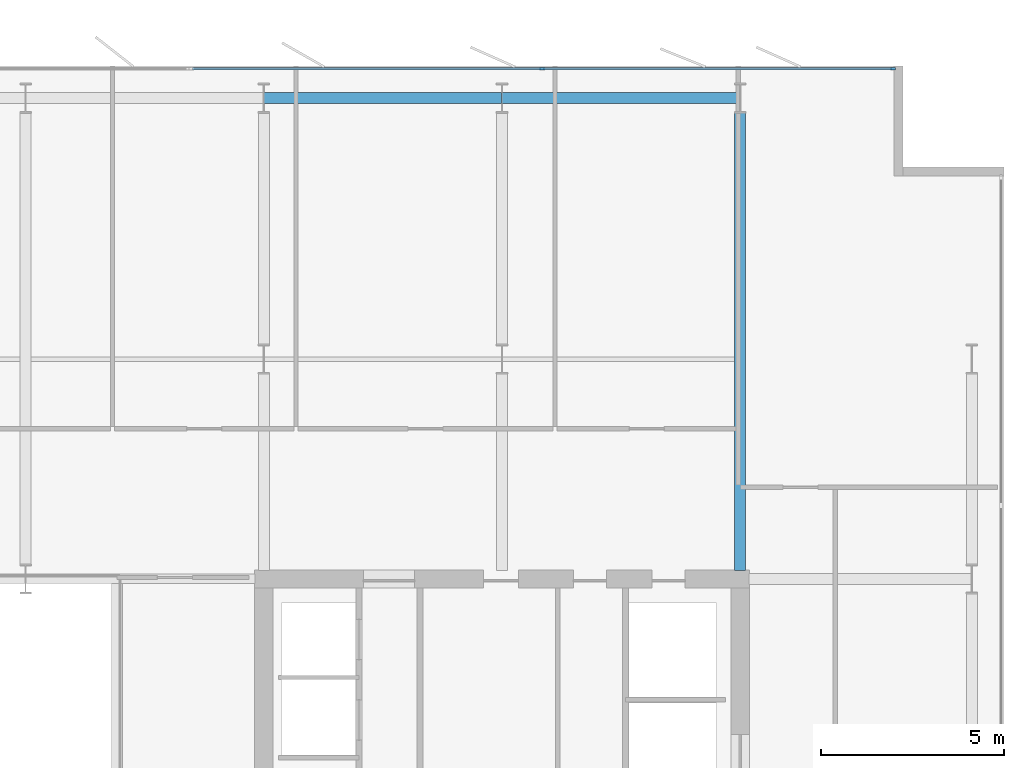
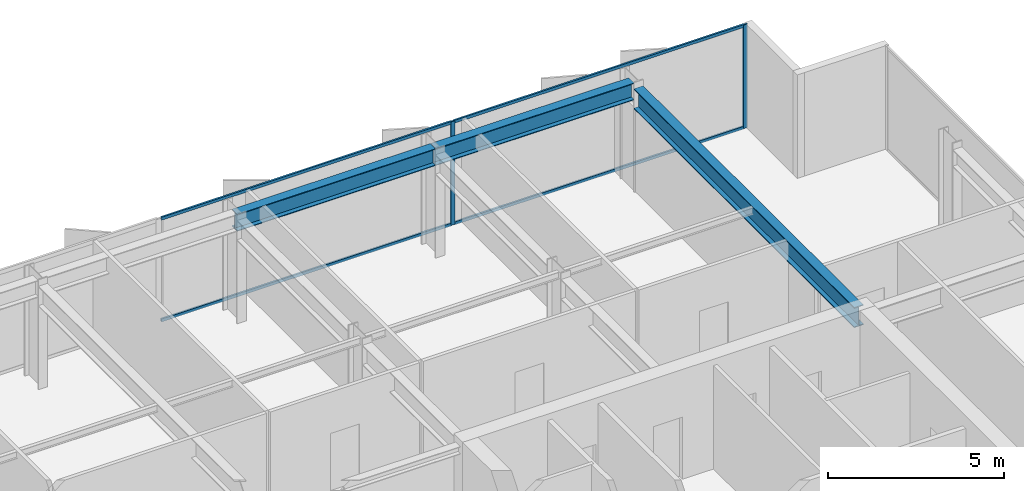
# One storey, part 13 of 23: 6 members, 3 beams, 1 element without a shape of its own.
"""IFC4 building model written with IfcOpenShell, lengths in metres."""

from ifc_helpers import new_model, si_unit, direction, frame, origin, origin_2d, place, context, subcontext, project, spatial, rectangle, i_section, extrude, material, layer, layer_set, material_profile, profile_set, type_object, element, aggregate, save


model = new_model("IFC4")

# Units and contexts
model_context = context("Model", 3, precision=1e-05, world=origin(), true_north=direction((0.0, 1.0)))
body_context = subcontext(model_context, "Body", "Model", "MODEL_VIEW")
ifc_project = project(units=[si_unit("LENGTHUNIT", "METRE"), si_unit("AREAUNIT", "SQUARE_METRE"), si_unit("VOLUMEUNIT", "CUBIC_METRE"), si_unit("PLANEANGLEUNIT", "RADIAN"), si_unit("MASSUNIT", "GRAM", prefix="KILO")], contexts=[model_context])

# Site, building, storey
site_placement = place(None, origin())
site = spatial("IfcSite", under=ifc_project, at=site_placement, CompositionType="ELEMENT")
building_placement = place(site_placement, origin())
building = spatial("IfcBuilding", under=site, at=building_placement, Name="Putna Gate Headquarters", CompositionType="ELEMENT")
storey_placement = place(building_placement, frame((0.0, 0.0, 229.0)))
storey = spatial("IfcBuildingStorey", under=building, at=storey_placement, Name="L57", CompositionType="ELEMENT", Elevation=229.0)

# Beams
ifc_material_1 = material(Name="Steel S355J2", Category="steel")
ifc_material_profile_1 = material_profile(ifc_material_1, i_section(OverallWidth=0.300048828125, OverallDepth=0.699951171875, WebThickness=0.01708984375, FlangeThickness=0.031982421875, at=origin_2d()), Name="Steel S355J2")
ifc_profile_set_1 = profile_set([ifc_material_profile_1], Name="Steel S355J2")
beam_type_1 = type_object("IfcBeamType", Name="BM-GIRD-B-HEB700", PredefinedType="USERDEFINED", material=ifc_profile_set_1)
beam_placement = place(storey_placement, frame((65.0, 33.235107421875, 3.22998046875), z_axis=(0.0, 1.0, 0.0), x_axis=(-1.0, 0.0, 0.0)))
element("IfcBeam", 1, at=beam_placement, inside=storey, type_object=beam_type_1, Name="L57 North Primary Girder X65", ObjectType="GIRDER", PredefinedType="USERDEFINED", context=body_context, shape_type="SweptSolid", body=[
    extrude(i_section(OverallWidth=0.300048828125, OverallDepth=0.699951171875, WebThickness=0.01708984375, FlangeThickness=0.031982421875, at=origin_2d()), origin(), (0.0, 0.0, 1.0), 12.489990234375),
])
ifc_material_profile_2 = material_profile(ifc_material_1, i_section(OverallWidth=0.300048828125, OverallDepth=0.590087890625, WebThickness=0.012939453125, FlangeThickness=0.02490234375, at=origin_2d()), Name="Steel S355J2")
ifc_profile_set_2 = profile_set([ifc_material_profile_2], Name="Steel S355J2")
beam_type_2 = type_object("IfcBeamType", Name="BM-SPAN-Z4-HEA600", PredefinedType="SPANDREL", material=ifc_profile_set_2)
for number, where, z_axis, x_axis, name in (
    (2, (52.006103515625, 46.1201171875, 3.284912109375), (1.0, 0.0, 0.0), (0.0, 1.0, 0.0), "L57 N Perimeter Spandrel 7"),
    (3, (58.506103515625, 46.1201171875, 3.284912109375), (1.0, 0.0, 0.0), (0.0, 1.0, 0.0), "L57 N Perimeter Spandrel 8"),
):
    element("IfcBeam", number, at=place(storey_placement, frame(where, z_axis=z_axis, x_axis=x_axis)), inside=storey, type_object=beam_type_2, Name=name, PredefinedType="SPANDREL", context=body_context, shape_type="SweptSolid", body=[
        extrude(i_section(OverallWidth=0.300048828125, OverallDepth=0.590087890625, WebThickness=0.012939453125, FlangeThickness=0.02490234375, at=origin_2d()), origin(), (0.0, 0.0, 1.0), 6.48779296875),
    ])

# Curtain wall, members
ifc_material_2 = material(Name="Anodised bronze aluminium curtain wall", Category="aluminium")
ifc_layer = layer(ifc_material_2, 0.139892578125)
ifc_layer_set = layer_set([ifc_layer], Name="Anodised bronze aluminium curtain wall")
curtain_wall_type = type_object("IfcCurtainWallType", Name="CW-SYS-Z4", PredefinedType="USERDEFINED", material=ifc_layer_set)
curtain_wall_placement = place(storey_placement, origin())
curtain_wall = element("IfcCurtainWall", 4, at=curtain_wall_placement, inside=storey, type_object=curtain_wall_type, Name="L57 North East Curtain Wall", ObjectType="STICK CURTAIN WALL", PredefinedType="USERDEFINED")
ifc_material_3 = material(Name="Anodised bronze aluminium EN AW-6060", Category="aluminium")
ifc_material_profile_3 = material_profile(ifc_material_3, rectangle(XDim=0.06005859375, YDim=0.139892578125, at=origin_2d()), Name="Anodised bronze aluminium EN AW-6060")
ifc_profile_set_3 = profile_set([ifc_material_profile_3], Name="Anodised bronze aluminium EN AW-6060")
member_type_1 = type_object("IfcMemberType", Name="MULL-CWM-4", PredefinedType="MULLION", material=ifc_profile_set_3)
member_1_placement = place(storey_placement, frame((59.60009765625, 46.919921875, 0.0), z_axis=(0.0, 0.0, 1.0), x_axis=(0.0, 1.0, 0.0)))
member_1 = element("IfcMember", 5, at=member_1_placement, type_object=member_type_1, Name="CWS-4 mullion 2", PredefinedType="MULLION", context=body_context, shape_type="SweptSolid", body=[
    extrude(rectangle(XDim=0.06005859375, YDim=0.139892578125, at=origin_2d()), origin(), (0.0, 0.0, 1.0), 3.580078125),
])
member_2_placement = place(storey_placement, frame((69.169921875, 46.919921875, 0.0), z_axis=(0.0, 0.0, 1.0), x_axis=(0.0, 1.0, 0.0)))
member_2 = element("IfcMember", 6, at=member_2_placement, type_object=member_type_1, Name="CWS-4 mullion 3", PredefinedType="MULLION", context=body_context, shape_type="SweptSolid", body=[
    extrude(rectangle(XDim=0.06005859375, YDim=0.139892578125, at=origin_2d()), origin(), (0.0, 0.0, 1.0), 3.580078125),
])
ifc_material_profile_4 = material_profile(ifc_material_3, rectangle(XDim=0.06005859375, YDim=0.10009765625, at=origin_2d()), Name="Anodised bronze aluminium EN AW-6060")
ifc_profile_set_4 = profile_set([ifc_material_profile_4], Name="Anodised bronze aluminium EN AW-6060")
member_type_2 = type_object("IfcMemberType", Name="TRAN-CWT-4", PredefinedType="USERDEFINED", material=ifc_profile_set_4)
member_3_placement = place(storey_placement, frame((50.06005859375, 46.919921875, 0.030029296875), z_axis=(1.0, 0.0, 0.0), x_axis=(0.0, 1.0, 0.0)))
member_3 = element("IfcMember", 7, at=member_3_placement, type_object=member_type_2, Name="CWS-4 transom 1.1", ObjectType="TRANSOM", PredefinedType="USERDEFINED", context=body_context, shape_type="SweptSolid", body=[
    extrude(rectangle(XDim=0.06005859375, YDim=0.10009765625, at=origin_2d()), origin(), (0.0, 0.0, 1.0), 9.510009765625),
])
member_4_placement = place(storey_placement, frame((50.06005859375, 46.919921875, 3.550048828125), z_axis=(1.0, 0.0, 0.0), x_axis=(0.0, 1.0, 0.0)))
member_4 = element("IfcMember", 8, at=member_4_placement, type_object=member_type_2, Name="CWS-4 transom 1.2", ObjectType="TRANSOM", PredefinedType="USERDEFINED", context=body_context, shape_type="SweptSolid", body=[
    extrude(rectangle(XDim=0.06005859375, YDim=0.10009765625, at=origin_2d()), origin(), (0.0, 0.0, 1.0), 9.510009765625),
])
member_5_placement = place(storey_placement, frame((59.6298828125, 46.919921875, 0.030029296875), z_axis=(1.0, 0.0, 0.0), x_axis=(0.0, 1.0, 0.0)))
member_5 = element("IfcMember", 9, at=member_5_placement, type_object=member_type_2, Name="CWS-4 transom 2.1", ObjectType="TRANSOM", PredefinedType="USERDEFINED", context=body_context, shape_type="SweptSolid", body=[
    extrude(rectangle(XDim=0.06005859375, YDim=0.10009765625, at=origin_2d()), origin(), (0.0, 0.0, 1.0), 9.510009765625),
])
member_6_placement = place(storey_placement, frame((59.6298828125, 46.919921875, 3.550048828125), z_axis=(1.0, 0.0, 0.0), x_axis=(0.0, 1.0, 0.0)))
member_6 = element("IfcMember", 10, at=member_6_placement, type_object=member_type_2, Name="CWS-4 transom 2.2", ObjectType="TRANSOM", PredefinedType="USERDEFINED", context=body_context, shape_type="SweptSolid", body=[
    extrude(rectangle(XDim=0.06005859375, YDim=0.10009765625, at=origin_2d()), origin(), (0.0, 0.0, 1.0), 9.510009765625),
])
aggregate(curtain_wall, [member_1, member_2, member_3, member_4, member_5, member_6])

save(model, "model.ifc")
